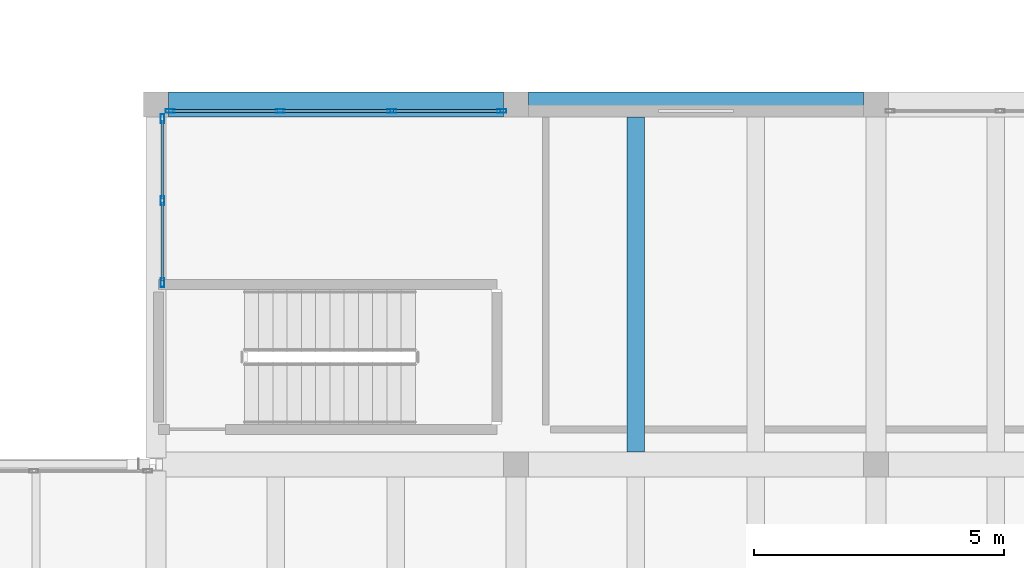
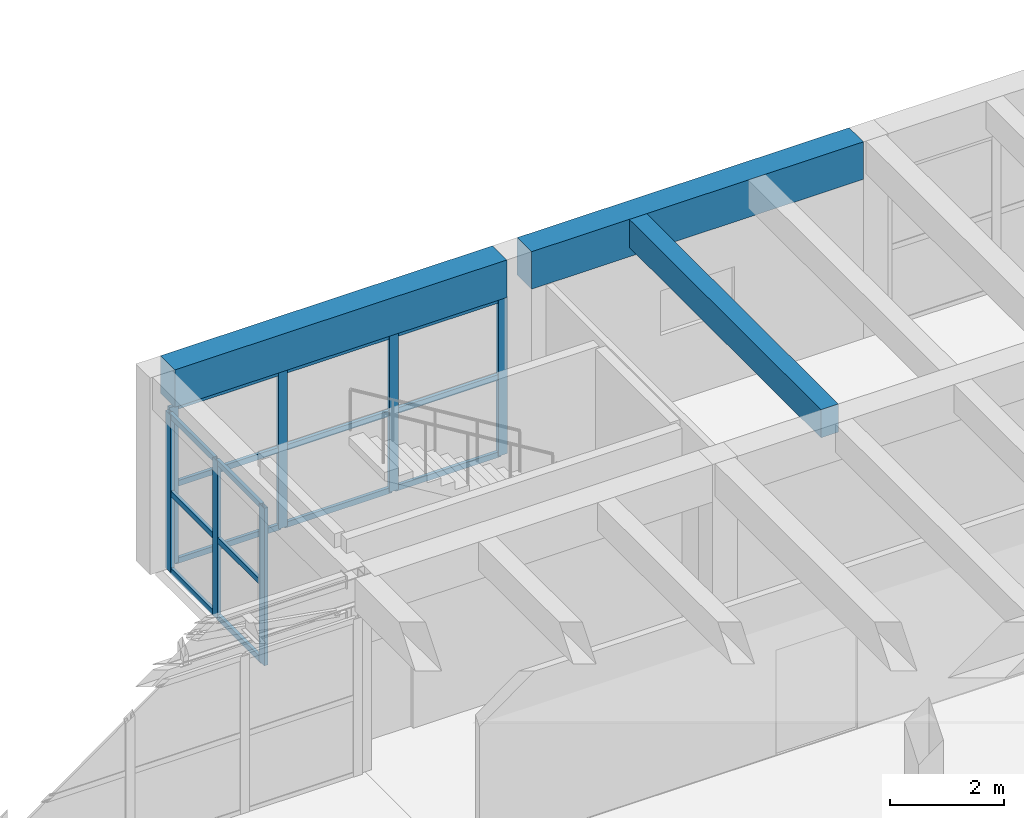
# One storey, part 54 of 153: 22 members, 3 beams, 2 elements without a shape of their own.
"""IFC4 building model written with IfcOpenShell, lengths in metres."""

from ifc_helpers import new_model, si_unit, direction, frame, origin, origin_2d, place, context, subcontext, project, spatial, rectangle, hollow_rectangle, extrude, material, material_profile, profile_set, type_object, element, aggregate, save


model = new_model("IFC4")

# Units and contexts
model_context = context("Model", 3, precision=1e-05, world=origin(), true_north=direction((0.0, 1.0)))
body_context = subcontext(model_context, "Body", "Model", "MODEL_VIEW")
ifc_project = project(units=[si_unit("LENGTHUNIT", "METRE"), si_unit("AREAUNIT", "SQUARE_METRE"), si_unit("VOLUMEUNIT", "CUBIC_METRE"), si_unit("PLANEANGLEUNIT", "RADIAN"), si_unit("MASSUNIT", "GRAM", prefix="KILO")], contexts=[model_context])

# Site, building, storey
site_placement = place(None, origin())
site = spatial("IfcSite", under=ifc_project, at=site_placement, CompositionType="ELEMENT")
building_placement = place(site_placement, origin())
building = spatial("IfcBuilding", under=site, at=building_placement, Name="Bramvelor Terrace Health Centre", CompositionType="ELEMENT")
storey_placement = place(building_placement, frame((0.0, 0.0, 4.800048828125)))
storey = spatial("IfcBuildingStorey", under=building, at=storey_placement, Name="L02", CompositionType="ELEMENT", Elevation=4.800048828125)

# Beams
ifc_material_1 = material(Name="Concrete C40/50", Category="concrete")
ifc_material_profile_1 = material_profile(ifc_material_1, rectangle(XDim=0.5, YDim=0.800048828125, at=origin_2d()), Name="RC 500x800")
ifc_profile_set_1 = profile_set([ifc_material_profile_1], Name="Concrete C40/50")
beam_type_1 = type_object("IfcBeamType", Name="BM-RC-G800", PredefinedType="BEAM", material=ifc_profile_set_1)
for number, where, z_axis, x_axis, name in (
    (1, (101.050048828125, 64.800048828125, 3.800048828125), (1.0, 0.0, 0.0), (0.0, 1.0, 0.0), "L02 Floor Girder"),
    (2, (108.25, 64.800048828125, 3.800048828125), (1.0, 0.0, 0.0), (0.0, 1.0, 0.0), "L02 Floor Girder"),
):
    element("IfcBeam", number, at=place(storey_placement, frame(where, z_axis=z_axis, x_axis=x_axis)), inside=storey, type_object=beam_type_1, Name=name, PredefinedType="BEAM", context=body_context, shape_type="SweptSolid", body=[
        extrude(rectangle(XDim=0.5, YDim=0.800048828125, at=origin_2d()), origin(), (0.0, 0.0, 1.0), 6.699951171875),
    ])
ifc_material_2 = material(Name="Concrete C40/50", Category="concrete")
ifc_material_profile_2 = material_profile(ifc_material_2, rectangle(XDim=0.35009765625, YDim=0.60009765625, at=origin_2d()), Name="RC 350x600")
ifc_profile_set_2 = profile_set([ifc_material_profile_2], Name="Concrete C40/50")
beam_type_2 = type_object("IfcBeamType", Name="BM-RC-J600", PredefinedType="JOIST", material=ifc_profile_set_2)
beam_placement = place(storey_placement, frame((110.39990234375, 57.85009765625, 3.89990234375), z_axis=(0.0, 1.0, 0.0), x_axis=(-1.0, 0.0, 0.0)))
element("IfcBeam", 3, at=beam_placement, inside=storey, type_object=beam_type_2, Name="L02 Secondary Floor Joist", PredefinedType="JOIST", context=body_context, shape_type="SweptSolid", body=[
    extrude(rectangle(XDim=0.35009765625, YDim=0.60009765625, at=origin_2d()), origin(), (0.0, 0.0, 1.0), 6.699951171875),
])

# Curtain wall, members
ifc_material_3 = material(Name="Anodized aluminium and double low-E glass", Category="aluminium")
curtain_wall_type_1 = type_object("IfcCurtainWallType", Name="CW-SYS-19", PredefinedType="NOTDEFINED", material=ifc_material_3)
curtain_wall_1_placement = place(storey_placement, origin())
curtain_wall_1 = element("IfcCurtainWall", 4, at=curtain_wall_1_placement, inside=storey, type_object=curtain_wall_type_1, Name="L02 Unitized Curtain Wall 100", PredefinedType="NOTDEFINED")
ifc_material_4 = material(Name="Anodized aluminium 6063-T6", Category="aluminium")
ifc_material_profile_3 = material_profile(ifc_material_4, hollow_rectangle(XDim=0.074951171875, YDim=0.179931640625, WallThickness=0.00341796875, at=origin_2d()), Name="ALU-MUL 75x180x3.5")
ifc_profile_set_3 = profile_set([ifc_material_profile_3], Name="Anodized aluminium 6063-T6")
member_type_1 = type_object("IfcMemberType", Name="CW-MUL-65x180", PredefinedType="MULLION", material=ifc_profile_set_3)
member_1_placement = place(storey_placement, frame((100.929931640625, 61.237548828125, 0.0), z_axis=(0.0, 0.0, 1.0), x_axis=(-1.0, 0.0, 0.0)))
member_1 = element("IfcMember", 5, at=member_1_placement, type_object=member_type_1, Name="CW-19 mullion 1", PredefinedType="MULLION", context=body_context, shape_type="SweptSolid", body=[
    extrude(hollow_rectangle(XDim=0.074951171875, YDim=0.179931640625, WallThickness=0.00341796875, at=origin_2d()), origin(), (0.0, 0.0, 1.0), 3.35986328125),
])
member_2_placement = place(storey_placement, frame((100.929931640625, 62.87744140625, 0.0), z_axis=(0.0, 0.0, 1.0), x_axis=(-1.0, 0.0, 0.0)))
member_2 = element("IfcMember", 6, at=member_2_placement, type_object=member_type_1, Name="CW-19 mullion 2", PredefinedType="MULLION", context=body_context, shape_type="SweptSolid", body=[
    extrude(hollow_rectangle(XDim=0.074951171875, YDim=0.179931640625, WallThickness=0.00341796875, at=origin_2d()), origin(), (0.0, 0.0, 1.0), 3.35986328125),
])
member_3_placement = place(storey_placement, frame((100.929931640625, 64.517578125, 0.0), z_axis=(0.0, 0.0, 1.0), x_axis=(-1.0, 0.0, 0.0)))
member_3 = element("IfcMember", 7, at=member_3_placement, type_object=member_type_1, Name="CW-19 mullion 3", PredefinedType="MULLION", context=body_context, shape_type="SweptSolid", body=[
    extrude(hollow_rectangle(XDim=0.074951171875, YDim=0.179931640625, WallThickness=0.00341796875, at=origin_2d()), origin(), (0.0, 0.0, 1.0), 3.35986328125),
])

ifc_material_5 = material(Name="Anodized aluminium and double low-E glass", Category="aluminium")
curtain_wall_type_2 = type_object("IfcCurtainWallType", Name="CW-SYS-16", PredefinedType="NOTDEFINED", material=ifc_material_5)
curtain_wall_2_placement = place(storey_placement, origin())
curtain_wall_2 = element("IfcCurtainWall", 8, at=curtain_wall_2_placement, inside=storey, type_object=curtain_wall_type_2, Name="L02 Unitized Curtain Wall 101", PredefinedType="NOTDEFINED")
member_4_placement = place(storey_placement, frame((101.08251953125, 64.669921875, 0.0), z_axis=(0.0, 0.0, 1.0), x_axis=(0.0, 1.0, 0.0)))
member_4 = element("IfcMember", 9, at=member_4_placement, type_object=member_type_1, Name="CW-16 mullion 1", PredefinedType="MULLION", context=body_context, shape_type="SweptSolid", body=[
    extrude(hollow_rectangle(XDim=0.074951171875, YDim=0.179931640625, WallThickness=0.00341796875, at=origin_2d()), origin(), (0.0, 0.0, 1.0), 3.35986328125),
])
member_5_placement = place(storey_placement, frame((103.28173828125, 64.669921875, 0.0), z_axis=(0.0, 0.0, 1.0), x_axis=(0.0, 1.0, 0.0)))
member_5 = element("IfcMember", 10, at=member_5_placement, type_object=member_type_1, Name="CW-16 mullion 2", PredefinedType="MULLION", context=body_context, shape_type="SweptSolid", body=[
    extrude(hollow_rectangle(XDim=0.074951171875, YDim=0.179931640625, WallThickness=0.00341796875, at=origin_2d()), origin(), (0.0, 0.0, 1.0), 3.35986328125),
])
member_6_placement = place(storey_placement, frame((105.518310546875, 64.669921875, 0.0), z_axis=(0.0, 0.0, 1.0), x_axis=(0.0, 1.0, 0.0)))
member_6 = element("IfcMember", 11, at=member_6_placement, type_object=member_type_1, Name="CW-16 mullion 3", PredefinedType="MULLION", context=body_context, shape_type="SweptSolid", body=[
    extrude(hollow_rectangle(XDim=0.074951171875, YDim=0.179931640625, WallThickness=0.00341796875, at=origin_2d()), origin(), (0.0, 0.0, 1.0), 3.35986328125),
])
member_7_placement = place(storey_placement, frame((107.717529296875, 64.669921875, 0.0), z_axis=(0.0, 0.0, 1.0), x_axis=(0.0, 1.0, 0.0)))
member_7 = element("IfcMember", 12, at=member_7_placement, type_object=member_type_1, Name="CW-16 mullion 4", PredefinedType="MULLION", context=body_context, shape_type="SweptSolid", body=[
    extrude(hollow_rectangle(XDim=0.074951171875, YDim=0.179931640625, WallThickness=0.00341796875, at=origin_2d()), origin(), (0.0, 0.0, 1.0), 3.35986328125),
])

# Member
ifc_material_6 = material(Name="Anodized aluminium 6063-T6", Category="aluminium")
ifc_material_profile_4 = material_profile(ifc_material_6, hollow_rectangle(XDim=0.06494140625, YDim=0.1201171875, WallThickness=0.0029296875, at=origin_2d()), Name="ALU-TRN 65x120x3.0")
ifc_profile_set_4 = profile_set([ifc_material_profile_4], Name="Anodized aluminium 6063-T6")
member_type_2 = type_object("IfcMemberType", Name="CW-TRN-65x150", PredefinedType="USERDEFINED", material=ifc_profile_set_4)
member_8_placement = place(storey_placement, frame((100.929931640625, 61.27490234375, 0.032470703125), z_axis=(0.0, 1.0, 0.0), x_axis=(-1.0, 0.0, 0.0)))
member_8 = element("IfcMember", 13, at=member_8_placement, type_object=member_type_2, Name="CW-19 transom 1.1", ObjectType="TRANSOM", PredefinedType="USERDEFINED", context=body_context, shape_type="SweptSolid", body=[
    extrude(hollow_rectangle(XDim=0.06494140625, YDim=0.1201171875, WallThickness=0.0029296875, at=origin_2d()), origin(), (0.0, 0.0, 1.0), 1.565185546875),
])

member_9_placement = place(storey_placement, frame((100.929931640625, 61.27490234375, 1.679931640625), z_axis=(0.0, 1.0, 0.0), x_axis=(-1.0, 0.0, 0.0)))
member_9 = element("IfcMember", 14, at=member_9_placement, type_object=member_type_2, Name="CW-19 transom 1.2", ObjectType="TRANSOM", PredefinedType="USERDEFINED", context=body_context, shape_type="SweptSolid", body=[
    extrude(hollow_rectangle(XDim=0.06494140625, YDim=0.1201171875, WallThickness=0.0029296875, at=origin_2d()), origin(), (0.0, 0.0, 1.0), 1.565185546875),
])

member_10_placement = place(storey_placement, frame((100.929931640625, 61.27490234375, 3.327392578125), z_axis=(0.0, 1.0, 0.0), x_axis=(-1.0, 0.0, 0.0)))
member_10 = element("IfcMember", 15, at=member_10_placement, type_object=member_type_2, Name="CW-19 transom 1.3", ObjectType="TRANSOM", PredefinedType="USERDEFINED", context=body_context, shape_type="SweptSolid", body=[
    extrude(hollow_rectangle(XDim=0.06494140625, YDim=0.1201171875, WallThickness=0.0029296875, at=origin_2d()), origin(), (0.0, 0.0, 1.0), 1.565185546875),
])

member_11_placement = place(storey_placement, frame((100.929931640625, 62.9150390625, 0.032470703125), z_axis=(0.0, 1.0, 0.0), x_axis=(-1.0, 0.0, 0.0)))
member_11 = element("IfcMember", 16, at=member_11_placement, type_object=member_type_2, Name="CW-19 transom 2.1", ObjectType="TRANSOM", PredefinedType="USERDEFINED", context=body_context, shape_type="SweptSolid", body=[
    extrude(hollow_rectangle(XDim=0.06494140625, YDim=0.1201171875, WallThickness=0.0029296875, at=origin_2d()), origin(), (0.0, 0.0, 1.0), 1.56494140625),
])

member_12_placement = place(storey_placement, frame((100.929931640625, 62.9150390625, 1.679931640625), z_axis=(0.0, 1.0, 0.0), x_axis=(-1.0, 0.0, 0.0)))
member_12 = element("IfcMember", 17, at=member_12_placement, type_object=member_type_2, Name="CW-19 transom 2.2", ObjectType="TRANSOM", PredefinedType="USERDEFINED", context=body_context, shape_type="SweptSolid", body=[
    extrude(hollow_rectangle(XDim=0.06494140625, YDim=0.1201171875, WallThickness=0.0029296875, at=origin_2d()), origin(), (0.0, 0.0, 1.0), 1.56494140625),
])

member_13_placement = place(storey_placement, frame((100.929931640625, 62.9150390625, 3.327392578125), z_axis=(0.0, 1.0, 0.0), x_axis=(-1.0, 0.0, 0.0)))
member_13 = element("IfcMember", 18, at=member_13_placement, type_object=member_type_2, Name="CW-19 transom 2.3", ObjectType="TRANSOM", PredefinedType="USERDEFINED", context=body_context, shape_type="SweptSolid", body=[
    extrude(hollow_rectangle(XDim=0.06494140625, YDim=0.1201171875, WallThickness=0.0029296875, at=origin_2d()), origin(), (0.0, 0.0, 1.0), 1.56494140625),
])

aggregate(curtain_wall_1, [member_1, member_2, member_3, member_8, member_9, member_10, member_11, member_12, member_13])

member_14_placement = place(storey_placement, frame((101.1201171875, 64.669921875, 0.032470703125), z_axis=(1.0, 0.0, 0.0), x_axis=(0.0, 1.0, 0.0)))
member_14 = element("IfcMember", 19, at=member_14_placement, type_object=member_type_2, Name="CW-16 transom 1.1", ObjectType="TRANSOM", PredefinedType="USERDEFINED", context=body_context, shape_type="SweptSolid", body=[
    extrude(hollow_rectangle(XDim=0.06494140625, YDim=0.1201171875, WallThickness=0.0029296875, at=origin_2d()), origin(), (0.0, 0.0, 1.0), 2.1240234375),
])

member_15_placement = place(storey_placement, frame((101.1201171875, 64.669921875, 1.679931640625), z_axis=(1.0, 0.0, 0.0), x_axis=(0.0, 1.0, 0.0)))
member_15 = element("IfcMember", 20, at=member_15_placement, type_object=member_type_2, Name="CW-16 transom 1.2", ObjectType="TRANSOM", PredefinedType="USERDEFINED", context=body_context, shape_type="SweptSolid", body=[
    extrude(hollow_rectangle(XDim=0.06494140625, YDim=0.1201171875, WallThickness=0.0029296875, at=origin_2d()), origin(), (0.0, 0.0, 1.0), 2.1240234375),
])

member_16_placement = place(storey_placement, frame((101.1201171875, 64.669921875, 3.327392578125), z_axis=(1.0, 0.0, 0.0), x_axis=(0.0, 1.0, 0.0)))
member_16 = element("IfcMember", 21, at=member_16_placement, type_object=member_type_2, Name="CW-16 transom 1.3", ObjectType="TRANSOM", PredefinedType="USERDEFINED", context=body_context, shape_type="SweptSolid", body=[
    extrude(hollow_rectangle(XDim=0.06494140625, YDim=0.1201171875, WallThickness=0.0029296875, at=origin_2d()), origin(), (0.0, 0.0, 1.0), 2.1240234375),
])

member_17_placement = place(storey_placement, frame((103.319091796875, 64.669921875, 0.032470703125), z_axis=(1.0, 0.0, 0.0), x_axis=(0.0, 1.0, 0.0)))
member_17 = element("IfcMember", 22, at=member_17_placement, type_object=member_type_2, Name="CW-16 transom 2.1", ObjectType="TRANSOM", PredefinedType="USERDEFINED", context=body_context, shape_type="SweptSolid", body=[
    extrude(hollow_rectangle(XDim=0.06494140625, YDim=0.1201171875, WallThickness=0.0029296875, at=origin_2d()), origin(), (0.0, 0.0, 1.0), 2.16162109375),
])

member_18_placement = place(storey_placement, frame((103.319091796875, 64.669921875, 1.679931640625), z_axis=(1.0, 0.0, 0.0), x_axis=(0.0, 1.0, 0.0)))
member_18 = element("IfcMember", 23, at=member_18_placement, type_object=member_type_2, Name="CW-16 transom 2.2", ObjectType="TRANSOM", PredefinedType="USERDEFINED", context=body_context, shape_type="SweptSolid", body=[
    extrude(hollow_rectangle(XDim=0.06494140625, YDim=0.1201171875, WallThickness=0.0029296875, at=origin_2d()), origin(), (0.0, 0.0, 1.0), 2.16162109375),
])

member_19_placement = place(storey_placement, frame((103.319091796875, 64.669921875, 3.327392578125), z_axis=(1.0, 0.0, 0.0), x_axis=(0.0, 1.0, 0.0)))
member_19 = element("IfcMember", 24, at=member_19_placement, type_object=member_type_2, Name="CW-16 transom 2.3", ObjectType="TRANSOM", PredefinedType="USERDEFINED", context=body_context, shape_type="SweptSolid", body=[
    extrude(hollow_rectangle(XDim=0.06494140625, YDim=0.1201171875, WallThickness=0.0029296875, at=origin_2d()), origin(), (0.0, 0.0, 1.0), 2.16162109375),
])

member_20_placement = place(storey_placement, frame((105.555908203125, 64.669921875, 0.032470703125), z_axis=(1.0, 0.0, 0.0), x_axis=(0.0, 1.0, 0.0)))
member_20 = element("IfcMember", 25, at=member_20_placement, type_object=member_type_2, Name="CW-16 transom 3.1", ObjectType="TRANSOM", PredefinedType="USERDEFINED", context=body_context, shape_type="SweptSolid", body=[
    extrude(hollow_rectangle(XDim=0.06494140625, YDim=0.1201171875, WallThickness=0.0029296875, at=origin_2d()), origin(), (0.0, 0.0, 1.0), 2.1240234375),
])

member_21_placement = place(storey_placement, frame((105.555908203125, 64.669921875, 1.679931640625), z_axis=(1.0, 0.0, 0.0), x_axis=(0.0, 1.0, 0.0)))
member_21 = element("IfcMember", 26, at=member_21_placement, type_object=member_type_2, Name="CW-16 transom 3.2", ObjectType="TRANSOM", PredefinedType="USERDEFINED", context=body_context, shape_type="SweptSolid", body=[
    extrude(hollow_rectangle(XDim=0.06494140625, YDim=0.1201171875, WallThickness=0.0029296875, at=origin_2d()), origin(), (0.0, 0.0, 1.0), 2.1240234375),
])

member_22_placement = place(storey_placement, frame((105.555908203125, 64.669921875, 3.327392578125), z_axis=(1.0, 0.0, 0.0), x_axis=(0.0, 1.0, 0.0)))
member_22 = element("IfcMember", 27, at=member_22_placement, type_object=member_type_2, Name="CW-16 transom 3.3", ObjectType="TRANSOM", PredefinedType="USERDEFINED", context=body_context, shape_type="SweptSolid", body=[
    extrude(hollow_rectangle(XDim=0.06494140625, YDim=0.1201171875, WallThickness=0.0029296875, at=origin_2d()), origin(), (0.0, 0.0, 1.0), 2.1240234375),
])

aggregate(curtain_wall_2, [member_4, member_5, member_6, member_7, member_14, member_15, member_16, member_17, member_18, member_19, member_20, member_21, member_22])

save(model, "model.ifc")
